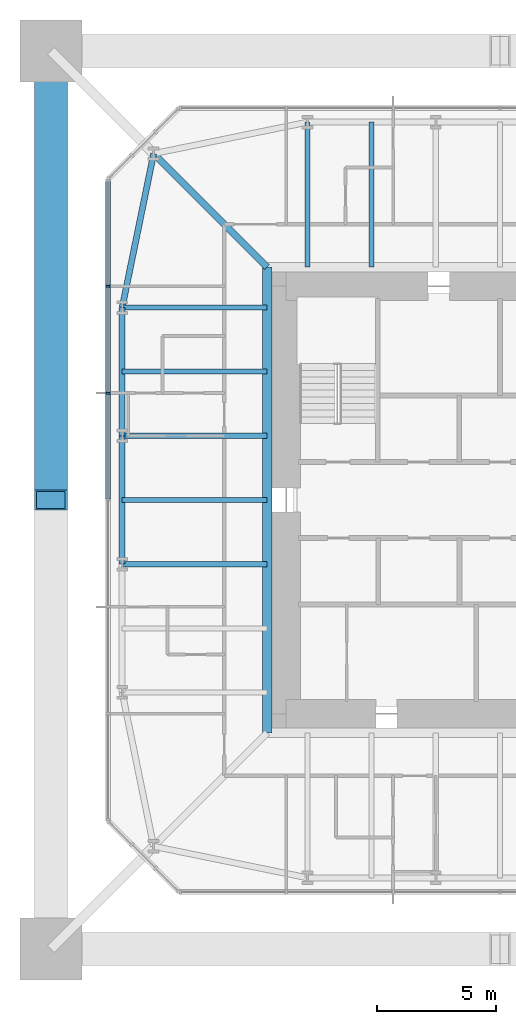
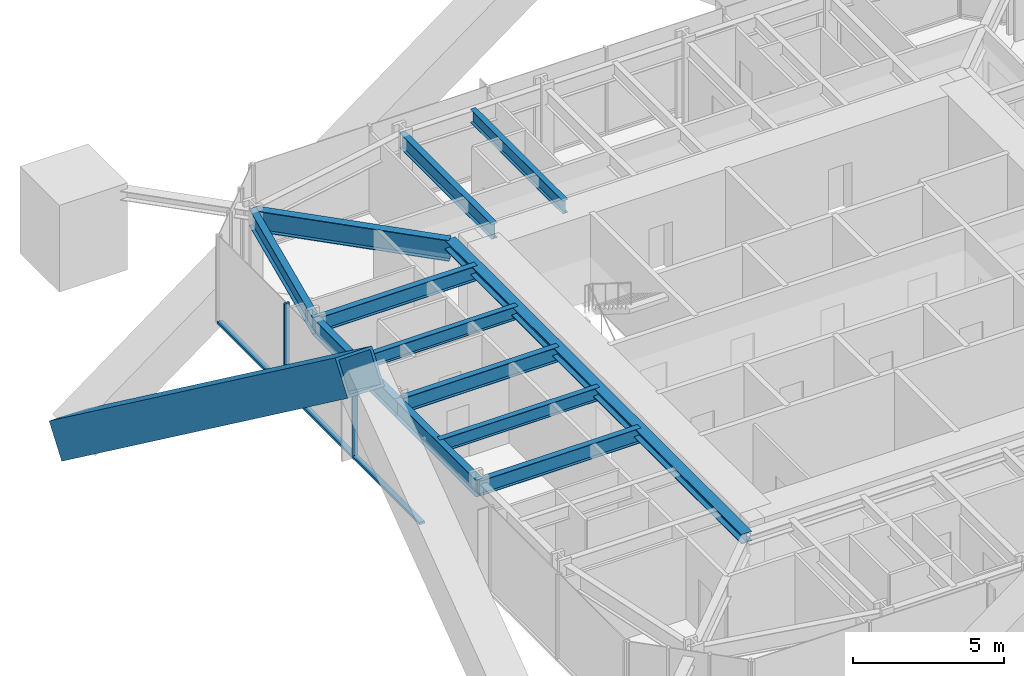
# One storey, part 3 of 10: 12 beams, 6 members, 1 element without a shape of its own.
"""IFC4 building model written with IfcOpenShell, lengths in metres."""

from ifc_helpers import new_model, si_unit, direction, frame, origin, origin_2d, place, context, subcontext, project, spatial, rectangle, hollow_rectangle, i_section, extrude, material, material_profile, profile_set, type_object, element, aggregate, save


model = new_model("IFC4")

# Units and contexts
model_context = context("Model", 3, precision=1e-05, world=origin(), true_north=direction((0.0, 1.0)))
body_context = subcontext(model_context, "Body", "Model", "MODEL_VIEW")
ifc_project = project(units=[si_unit("LENGTHUNIT", "METRE"), si_unit("AREAUNIT", "SQUARE_METRE"), si_unit("VOLUMEUNIT", "CUBIC_METRE"), si_unit("PLANEANGLEUNIT", "RADIAN"), si_unit("MASSUNIT", "GRAM", prefix="KILO")], contexts=[model_context])

# Site, building, storey
site_placement = place(None, origin())
site = spatial("IfcSite", under=ifc_project, at=site_placement, CompositionType="ELEMENT")
building_placement = place(site_placement, origin())
building = spatial("IfcBuilding", under=site, at=building_placement, Name="Iwan Alto Co-Living Towers", CompositionType="ELEMENT")
storey_placement = place(building_placement, frame((0.0, 0.0, 246.5)))
storey = spatial("IfcBuildingStorey", under=building, at=storey_placement, Name="L67", CompositionType="ELEMENT", Elevation=246.5)

# Curtain wall, members
ifc_material_1 = material(Name="Bronze aluminium unitised frame", Category="aluminium")
curtain_wall_type = type_object("IfcCurtainWallType", Name="CURTAIN WALL CW-A", PredefinedType="NOTDEFINED", material=ifc_material_1)
curtain_wall_placement = place(storey_placement, origin())
curtain_wall = element("IfcCurtainWall", 1, at=curtain_wall_placement, inside=storey, type_object=curtain_wall_type, Name="T1 curtain wall W L67", PredefinedType="NOTDEFINED")
ifc_material_2 = material(Name="Aluminium 6063-T6 bronze anodised", Category="aluminium")
ifc_material_profile_1 = material_profile(ifc_material_2, rectangle(XDim=0.199951171875, YDim=0.080078125, at=origin_2d()), Name="AL 80X200")
ifc_profile_set_1 = profile_set([ifc_material_profile_1], Name="Aluminium 6063-T6 bronze anodised")
member_type_1 = type_object("IfcMemberType", Name="CW-A MULLION 80X200", PredefinedType="MULLION", material=ifc_profile_set_1)
member_1_placement = place(storey_placement, frame((-16.5, 9.0, 0.0), z_axis=(0.0, 0.0, 1.0), x_axis=(1.0, 0.0, 0.0)))
member_1 = element("IfcMember", 2, at=member_1_placement, type_object=member_type_1, Name="CW-A mullion 2", PredefinedType="MULLION", context=body_context, shape_type="SweptSolid", body=[
    extrude(rectangle(XDim=0.199951171875, YDim=0.080078125, at=origin_2d()), origin(), (0.0, 0.0, 1.0), 3.5),
])
member_2_placement = place(storey_placement, frame((-16.5, 4.5, 0.0), z_axis=(0.0, 0.0, 1.0), x_axis=(1.0, 0.0, 0.0)))
member_2 = element("IfcMember", 3, at=member_2_placement, type_object=member_type_1, Name="CW-A mullion 3", PredefinedType="MULLION", context=body_context, shape_type="SweptSolid", body=[
    extrude(rectangle(XDim=0.199951171875, YDim=0.080078125, at=origin_2d()), origin(), (0.0, 0.0, 1.0), 3.5),
])
ifc_material_3 = material(Name="Aluminium 6063-T6 bronze anodised", Category="aluminium")
ifc_material_profile_2 = material_profile(ifc_material_3, rectangle(XDim=0.199951171875, YDim=0.10009765625, at=origin_2d()), Name="AL 200X100")
ifc_profile_set_2 = profile_set([ifc_material_profile_2], Name="Aluminium 6063-T6 bronze anodised")
member_type_2 = type_object("IfcMemberType", Name="CW-A TRANSOM 200X100", PredefinedType="USERDEFINED", material=ifc_profile_set_2)
member_3_placement = place(storey_placement, frame((-16.5, 13.419921875, 0.050048828125), z_axis=(0.0, -1.0, 0.0), x_axis=(1.0, 0.0, 0.0)))
member_3 = element("IfcMember", 4, at=member_3_placement, type_object=member_type_2, Name="CW-A transom 1.1", ObjectType="TRANSOM", PredefinedType="USERDEFINED", context=body_context, shape_type="SweptSolid", body=[
    extrude(rectangle(XDim=0.199951171875, YDim=0.10009765625, at=origin_2d()), origin(), (0.0, 0.0, 1.0), 4.3798828125),
])
member_4_placement = place(storey_placement, frame((-16.5, 8.9599609375, 0.050048828125), z_axis=(0.0, -1.0, 0.0), x_axis=(1.0, 0.0, 0.0)))
member_4 = element("IfcMember", 5, at=member_4_placement, type_object=member_type_2, Name="CW-A transom 2.1", ObjectType="TRANSOM", PredefinedType="USERDEFINED", context=body_context, shape_type="SweptSolid", body=[
    extrude(rectangle(XDim=0.199951171875, YDim=0.10009765625, at=origin_2d()), origin(), (0.0, 0.0, 1.0), 4.419921875),
])
member_5_placement = place(storey_placement, frame((-16.5, 4.4599609375, 0.050048828125), z_axis=(0.0, -1.0, 0.0), x_axis=(1.0, 0.0, 0.0)))
member_5 = element("IfcMember", 6, at=member_5_placement, type_object=member_type_2, Name="CW-A transom 3.1", ObjectType="TRANSOM", PredefinedType="USERDEFINED", context=body_context, shape_type="SweptSolid", body=[
    extrude(rectangle(XDim=0.199951171875, YDim=0.10009765625, at=origin_2d()), origin(), (0.0, 0.0, 1.0), 4.419921875),
])
aggregate(curtain_wall, [member_1, member_2, member_3, member_4, member_5])

# Beams
ifc_material_4 = material(Name="Steel ASTM A992 Gr 50", Category="steel")
ifc_material_profile_3 = material_profile(ifc_material_4, i_section(OverallWidth=0.398681640625, OverallDepth=0.385986328125, WebThickness=0.02099609375, FlangeThickness=0.033203125, at=origin_2d()), Name="W14X176")
ifc_profile_set_3 = profile_set([ifc_material_profile_3], Name="Steel ASTM A992 Gr 50")
beam_type_1 = type_object("IfcBeamType", Name="T1 CORE LEDGER BEAM W14X176", PredefinedType="BEAM", material=ifc_profile_set_3)
beam_1_placement = place(storey_placement, frame((-9.79931640625, 9.79931640625, 3.076904296875), z_axis=(0.0, -1.0, 0.0), x_axis=(1.0, 0.0, 0.0)))
element("IfcBeam", 7, at=beam_1_placement, inside=storey, type_object=beam_type_1, Name="T1 core ledger beam W L68", PredefinedType="BEAM", context=body_context, shape_type="SweptSolid", body=[
    extrude(i_section(OverallWidth=0.398681640625, OverallDepth=0.385986328125, WebThickness=0.02099609375, FlangeThickness=0.033203125, at=origin_2d()), origin(), (0.0, 0.0, 1.0), 19.5986328125),
])
ifc_material_5 = material(Name="Steel ASTM A992 Gr 50", Category="steel")
ifc_material_profile_4 = material_profile(ifc_material_5, i_section(OverallWidth=0.2919921875, OverallDepth=0.8408203125, WebThickness=0.0146484375, FlangeThickness=0.021728515625, at=origin_2d()), Name="W33X130")
ifc_profile_set_4 = profile_set([ifc_material_profile_4], Name="Steel ASTM A992 Gr 50")
beam_type_2 = type_object("IfcBeamType", Name="T1 CORNER GIRDER W33X130", PredefinedType="BEAM", material=ifc_profile_set_4)
beam_2_placement = place(storey_placement, frame((-14.57568359375, 14.57568359375, 2.849609375), z_axis=(0.707106781187, -0.707106781187, 0.0), x_axis=(0.707106781187, 0.707106781187, 0.0)))
element("IfcBeam", 8, at=beam_2_placement, inside=storey, type_object=beam_type_2, Name="T1 corner girder CNW L68", PredefinedType="BEAM", context=body_context, shape_type="SweptSolid", body=[
    extrude(i_section(OverallWidth=0.2919921875, OverallDepth=0.8408203125, WebThickness=0.0146484375, FlangeThickness=0.021728515625, at=origin_2d()), origin(), (0.0, 0.0, 1.0), 6.7548828125),
])
ifc_material_6 = material(Name="Steel ASTM A992 Gr 50", Category="steel")
ifc_material_profile_5 = material_profile(ifc_material_6, i_section(OverallWidth=0.25390625, OverallDepth=0.683349609375, WebThickness=0.012451171875, FlangeThickness=0.018798828125, at=origin_2d()), Name="W27X94")
ifc_profile_set_5 = profile_set([ifc_material_profile_5], Name="Steel ASTM A992 Gr 50")
beam_type_3 = type_object("IfcBeamType", Name="T1 EDGE BEAM W27X94", PredefinedType="BEAM", material=ifc_profile_set_5)
beam_3_placement = place(storey_placement, frame((-14.57568359375, 14.57568359375, 2.928466796875), z_axis=(-0.200347889618, -0.979724820103, 0.0), x_axis=(0.979724820103, -0.200347889618, 0.0)))
element("IfcBeam", 9, at=beam_3_placement, inside=storey, type_object=beam_type_3, Name="T1 edge beam CNW L68", PredefinedType="BEAM", context=body_context, shape_type="SweptSolid", body=[
    extrude(i_section(OverallWidth=0.25390625, OverallDepth=0.683349609375, WebThickness=0.012451171875, FlangeThickness=0.018798828125, at=origin_2d()), origin(), (0.0, 0.0, 1.0), 6.609619140625),
])
beam_4_placement = place(storey_placement, frame((-15.89990234375, 8.10009765625, 2.928466796875), z_axis=(0.0, -1.0, 0.0), x_axis=(1.0, 0.0, 0.0)))
element("IfcBeam", 10, at=beam_4_placement, inside=storey, type_object=beam_type_3, Name="T1 edge beam W1 L68", PredefinedType="BEAM", context=body_context, shape_type="SweptSolid", body=[
    extrude(i_section(OverallWidth=0.25390625, OverallDepth=0.683349609375, WebThickness=0.012451171875, FlangeThickness=0.018798828125, at=origin_2d()), origin(), (0.0, 0.0, 1.0), 5.400146484375),
])
beam_5_placement = place(storey_placement, frame((-15.89990234375, 2.699951171875, 2.928466796875), z_axis=(0.0, -1.0, 0.0), x_axis=(1.0, 0.0, 0.0)))
element("IfcBeam", 11, at=beam_5_placement, inside=storey, type_object=beam_type_3, Name="T1 edge beam W2 L68", PredefinedType="BEAM", context=body_context, shape_type="SweptSolid", body=[
    extrude(i_section(OverallWidth=0.25390625, OverallDepth=0.683349609375, WebThickness=0.012451171875, FlangeThickness=0.018798828125, at=origin_2d()), origin(), (0.0, 0.0, 1.0), 5.39990234375),
])

# Member
ifc_material_7 = material(Name="Steel ASTM A572 Gr 50", Category="steel")
ifc_material_profile_6 = material_profile(ifc_material_7, hollow_rectangle(XDim=1.39990234375, YDim=1.39990234375, WallThickness=0.10009765625, at=origin_2d()), Name="BOX 1400X1400X100")
ifc_profile_set_6 = profile_set([ifc_material_profile_6], Name="Steel ASTM A572 Gr 50")
member_type_3 = type_object("IfcMemberType", Name="T1 MEGA BRACE BOX 1400X1400X100", PredefinedType="BRACE", material=ifc_profile_set_6)
member_6_placement = place(storey_placement, frame((-18.89990234375, 18.89990234375, -7.0), z_axis=(0.0, -0.803555722309, 0.595229536519), x_axis=(1.0, 0.0, 0.0)))
element("IfcMember", 12, at=member_6_placement, inside=storey, type_object=member_type_3, Name="T1 mega brace Z4B W 1 lower", PredefinedType="BRACE", context=body_context, shape_type="SweptSolid", body=[
    extrude(hollow_rectangle(XDim=1.39990234375, YDim=1.39990234375, WallThickness=0.10009765625, at=origin_2d()), origin(), (0.0, 0.0, 1.0), 23.520263671875),
])

# Beams
ifc_material_8 = material(Name="Steel ASTM A992 Gr 50", Category="steel")
ifc_material_profile_7 = material_profile(ifc_material_8, i_section(OverallWidth=0.228271484375, OverallDepth=0.607177734375, WebThickness=0.01123046875, FlangeThickness=0.017333984375, at=origin_2d()), Name="W24X76")
ifc_profile_set_7 = profile_set([ifc_material_profile_7], Name="Steel ASTM A992 Gr 50")
beam_type_4 = type_object("IfcBeamType", Name="T1 RADIAL BEAM W24X76", PredefinedType="BEAM", material=ifc_profile_set_7)
for number, where, z_axis, x_axis, name in (
    (13, (-8.10009765625, 15.89990234375, 2.966552734375), (0.0, -1.0, 0.0), (1.0, 0.0, 0.0), "T1 radial beam N4 L68"),
    (14, (-15.89990234375, 8.10009765625, 2.966552734375), (1.0, 0.0, 0.0), (0.0, 1.0, 0.0), "T1 radial beam W1 L68"),
    (15, (-15.89990234375, 2.699951171875, 2.966552734375), (1.0, 0.0, 0.0), (0.0, 1.0, 0.0), "T1 radial beam W2 L68"),
    (16, (-15.89990234375, -2.699951171875, 2.966552734375), (1.0, 0.0, 0.0), (0.0, 1.0, 0.0), "T1 radial beam W3 L68"),
):
    element("IfcBeam", number, at=place(storey_placement, frame(where, z_axis=z_axis, x_axis=x_axis)), inside=storey, type_object=beam_type_4, Name=name, PredefinedType="BEAM", context=body_context, shape_type="SweptSolid", body=[
        extrude(i_section(OverallWidth=0.228271484375, OverallDepth=0.607177734375, WebThickness=0.01123046875, FlangeThickness=0.017333984375, at=origin_2d()), origin(), (0.0, 0.0, 1.0), 6.1005859375),
    ])
ifc_material_9 = material(Name="Steel ASTM A992 Gr 50", Category="steel")
ifc_material_profile_8 = material_profile(ifc_material_9, i_section(OverallWidth=0.209228515625, OverallDepth=0.533447265625, WebThickness=0.01025390625, FlangeThickness=0.015625, at=origin_2d()), Name="W21X62")
ifc_profile_set_8 = profile_set([ifc_material_profile_8], Name="Steel ASTM A992 Gr 50")
beam_type_5 = type_object("IfcBeamType", Name="T1 SECONDARY BEAM W21X62", PredefinedType="JOIST", material=ifc_profile_set_8)
for number, where, z_axis, x_axis, name in (
    (17, (-5.39990234375, 15.89990234375, 3.00341796875), (0.0, -1.0, 0.0), (1.0, 0.0, 0.0), "T1 secondary beam N3 L68"),
    (18, (-15.89990234375, 5.39990234375, 3.00341796875), (1.0, 0.0, 0.0), (0.0, 1.0, 0.0), "T1 secondary beam W1 L68"),
    (19, (-15.89990234375, 0.0, 3.00341796875), (1.0, 0.0, 0.0), (0.0, 1.0, 0.0), "T1 secondary beam W2 L68"),
):
    element("IfcBeam", number, at=place(storey_placement, frame(where, z_axis=z_axis, x_axis=x_axis)), inside=storey, type_object=beam_type_5, Name=name, PredefinedType="JOIST", context=body_context, shape_type="SweptSolid", body=[
        extrude(i_section(OverallWidth=0.209228515625, OverallDepth=0.533447265625, WebThickness=0.01025390625, FlangeThickness=0.015625, at=origin_2d()), origin(), (0.0, 0.0, 1.0), 6.1005859375),
    ])

save(model, "model.ifc")
